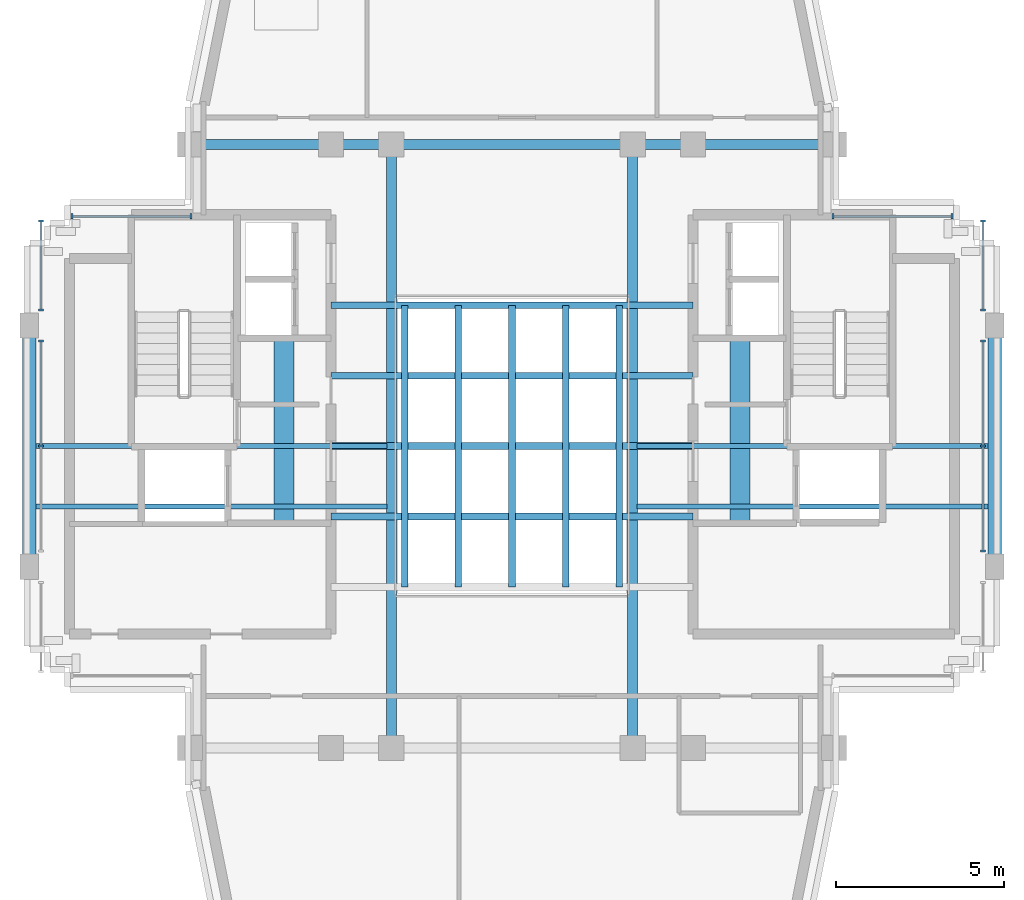
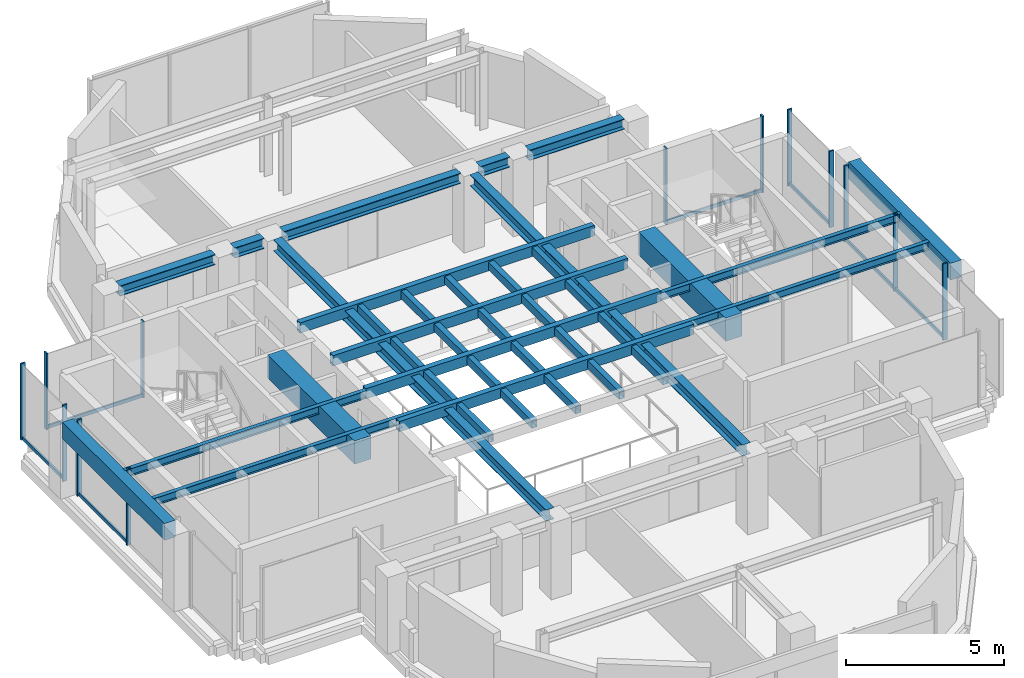
# One storey, part 4 of 11: 29 members, 15 beams, 6 elements without a shape of their own.
"""IFC4 building model written with IfcOpenShell, lengths in metres."""

from ifc_helpers import new_model, si_unit, direction, frame, origin, origin_2d, place, context, subcontext, project, spatial, rectangle, hollow_rectangle, i_section, extrude, source, transform, mapped, material, material_profile, profile_set, type_object, element, aggregate, save


model = new_model("IFC4")

# Units and contexts
model_context = context("Model", 3, precision=1e-05, world=origin(), true_north=direction((0.0, 1.0)))
body_context = subcontext(model_context, "Body", "Model", "MODEL_VIEW")
ifc_project = project(units=[si_unit("LENGTHUNIT", "METRE"), si_unit("AREAUNIT", "SQUARE_METRE"), si_unit("VOLUMEUNIT", "CUBIC_METRE"), si_unit("PLANEANGLEUNIT", "RADIAN"), si_unit("MASSUNIT", "GRAM", prefix="KILO")], contexts=[model_context])

# Site, building, storey
site_placement = place(None, origin())
site = spatial("IfcSite", under=ifc_project, at=site_placement, CompositionType="ELEMENT")
building_placement = place(site_placement, origin())
building = spatial("IfcBuilding", under=site, at=building_placement, Name="Keilestroom Media Tower", CompositionType="ELEMENT")
storey_placement = place(building_placement, frame((0.0, 0.0, 268.39990234375)))
storey = spatial("IfcBuildingStorey", under=building, at=storey_placement, Name="L75", CompositionType="ELEMENT", Elevation=268.39990234375)

# Beams
ifc_material_1 = material(Name="Concrete C70/85", Category="concrete")
ifc_material_profile_1 = material_profile(ifc_material_1, rectangle(XDim=0.60009765625, YDim=0.89990234375, at=origin_2d()), Name="RC 600x900")
ifc_profile_set_1 = profile_set([ifc_material_profile_1], Name="Concrete C70/85")
beam_type_1 = type_object("IfcBeamType", Name="Core-Coupling-Lintel-Beam-RC-600x900", PredefinedType="LINTEL", material=ifc_profile_set_1)
shared_shape_1 = source(origin(), body_context, "Body", "SweptSolid", [
    extrude(rectangle(XDim=0.60009765625, YDim=0.89990234375, at=origin_2d()), origin(), (0.0, 0.0, 1.0), 5.52001953125),
])
for number, where, z_axis, x_axis, name in (
    (1, (-6.800048828125, -2.300048828125, 2.510009765625), (0.0, 1.0, 0.0), (-1.0, 0.0, 0.0), "L75 Beam CLB-1 CLB-L75-W"),
    (2, (6.800048828125, -2.300048828125, 2.510009765625), (0.0, 1.0, 0.0), (-1.0, 0.0, 0.0), "L75 Beam CLB-1 CLB-L75-E"),
):
    element("IfcBeam", number, at=place(storey_placement, frame(where, z_axis=z_axis, x_axis=x_axis)), inside=storey, type_object=beam_type_1, Name=name, PredefinedType="LINTEL", context=body_context, shape_type="MappedRepresentation", body=[
        mapped(shared_shape_1, transform((0.0, 0.0, 0.0), x_axis=(1.0, 0.0, 0.0), y_axis=(0.0, 1.0, 0.0), z_axis=(0.0, 0.0, 1.0), scale=1.0)),
    ])
ifc_material_2 = material(Name="Steel S355", Category="steel")
ifc_material_profile_2 = material_profile(ifc_material_2, i_section(OverallWidth=0.300048828125, OverallDepth=0.39990234375, WebThickness=0.011474609375, FlangeThickness=0.02392578125, at=origin_2d()), Name="HEB 400")
ifc_profile_set_2 = profile_set([ifc_material_profile_2], Name="Steel S355")
beam_type_2 = type_object("IfcBeamType", Name="Primary-Structural-Girder-HEB-400", PredefinedType="BEAM", material=ifc_profile_set_2)
shared_shape_2 = source(origin(), body_context, "Body", "SweptSolid", [
    extrude(i_section(OverallWidth=0.300048828125, OverallDepth=0.39990234375, WebThickness=0.011474609375, FlangeThickness=0.02392578125, at=origin_2d()), origin(), (0.0, 0.0, 1.0), 3.490234375),
])
for number, where, z_axis, x_axis, name in (
    (3, (-9.2451171875, 9.0, 2.760009765625), (1.0, 0.0, 0.0), (0.0, 1.0, 0.0), "L75 Beam BG-8 BM-L75-EW-008"),
    (4, (5.7548828125, 9.0, 2.760009765625), (1.0, 0.0, 0.0), (0.0, 1.0, 0.0), "L75 Beam BG-8 BM-L75-EW-012"),
):
    element("IfcBeam", number, at=place(storey_placement, frame(where, z_axis=z_axis, x_axis=x_axis)), inside=storey, type_object=beam_type_2, Name=name, PredefinedType="BEAM", context=body_context, shape_type="MappedRepresentation", body=[
        mapped(shared_shape_2, transform((0.0, 0.0, 0.0), x_axis=(1.0, 0.0, 0.0), y_axis=(0.0, 1.0, 0.0), z_axis=(0.0, 0.0, 1.0), scale=1.0)),
    ])
shared_shape_3 = source(origin(), body_context, "Body", "SweptSolid", [
    extrude(i_section(OverallWidth=0.300048828125, OverallDepth=0.39990234375, WebThickness=0.011474609375, FlangeThickness=0.02392578125, at=origin_2d()), origin(), (0.0, 0.0, 1.0), 1.08984375),
])
for number, where, z_axis, x_axis, name in (
    (5, (-5.044921875, 9.0, 2.760009765625), (1.0, 0.0, 0.0), (0.0, 1.0, 0.0), "L75 Beam BG-8 BM-L75-EW-009"),
    (6, (3.955078125, 9.0, 2.760009765625), (1.0, 0.0, 0.0), (0.0, 1.0, 0.0), "L75 Beam BG-8 BM-L75-EW-011"),
):
    element("IfcBeam", number, at=place(storey_placement, frame(where, z_axis=z_axis, x_axis=x_axis)), inside=storey, type_object=beam_type_2, Name=name, PredefinedType="BEAM", context=body_context, shape_type="MappedRepresentation", body=[
        mapped(shared_shape_3, transform((0.0, 0.0, 0.0), x_axis=(1.0, 0.0, 0.0), y_axis=(0.0, 1.0, 0.0), z_axis=(0.0, 0.0, 1.0), scale=1.0)),
    ])
shared_shape_4 = source(origin(), body_context, "Body", "SweptSolid", [
    extrude(i_section(OverallWidth=0.300048828125, OverallDepth=0.39990234375, WebThickness=0.011474609375, FlangeThickness=0.02392578125, at=origin_2d()), origin(), (0.0, 0.0, 1.0), 6.490234375),
])
beam_placement = place(storey_placement, frame((-3.2451171875, 9.0, 2.760009765625), z_axis=(1.0, 0.0, 0.0), x_axis=(0.0, 1.0, 0.0)))
element("IfcBeam", 7, at=beam_placement, inside=storey, type_object=beam_type_2, Name="L75 Beam BG-8 BM-L75-EW-010", PredefinedType="BEAM", context=body_context, shape_type="MappedRepresentation", body=[
    mapped(shared_shape_4, transform((0.0, 0.0, 0.0), x_axis=(1.0, 0.0, 0.0), y_axis=(0.0, 1.0, 0.0), z_axis=(0.0, 0.0, 1.0), scale=1.0)),
])
ifc_material_3 = material(Name="Precast concrete C40/50", Category="concrete")
ifc_material_profile_3 = material_profile(ifc_material_3, rectangle(XDim=0.39990234375, YDim=0.64990234375, at=origin_2d()), Name="PC 400x650")
ifc_profile_set_3 = profile_set([ifc_material_profile_3], Name="Precast concrete C40/50")
beam_type_3 = type_object("IfcBeamType", Name="Perimeter-Spandrel-Beam-PC-400x650", PredefinedType="SPANDREL", material=ifc_profile_set_3)
shared_shape_5 = source(origin(), body_context, "Body", "SweptSolid", [
    extrude(rectangle(XDim=0.39990234375, YDim=0.64990234375, at=origin_2d()), origin(), (0.0, 0.0, 1.0), 6.490234375),
])
for number, where, z_axis, x_axis, name in (
    (8, (-14.39990234375, -3.2451171875, 2.635009765625), (0.0, 1.0, 0.0), (-1.0, 0.0, 0.0), "L75 Beam SPB-2 BM-L75-NS-017"),
    (9, (14.39990234375, -3.2451171875, 2.635009765625), (0.0, 1.0, 0.0), (-1.0, 0.0, 0.0), "L75 Beam SPB-2 BM-L75-NS-028"),
):
    element("IfcBeam", number, at=place(storey_placement, frame(where, z_axis=z_axis, x_axis=x_axis)), inside=storey, type_object=beam_type_3, Name=name, PredefinedType="SPANDREL", context=body_context, shape_type="MappedRepresentation", body=[
        mapped(shared_shape_5, transform((0.0, 0.0, 0.0), x_axis=(1.0, 0.0, 0.0), y_axis=(0.0, 1.0, 0.0), z_axis=(0.0, 0.0, 1.0), scale=1.0)),
    ])
ifc_material_profile_4 = material_profile(ifc_material_2, i_section(OverallWidth=0.300048828125, OverallDepth=0.43994140625, WebThickness=0.011474609375, FlangeThickness=0.02099609375, at=origin_2d()), Name="HEA 450")
ifc_profile_set_4 = profile_set([ifc_material_profile_4], Name="Steel S355")
beam_type_4 = type_object("IfcBeamType", Name="Primary-Structural-Girder-HEA-450", PredefinedType="BEAM", material=ifc_profile_set_4)
shared_shape_6 = source(origin(), body_context, "Body", "SweptSolid", [
    extrude(i_section(OverallWidth=0.300048828125, OverallDepth=0.43994140625, WebThickness=0.011474609375, FlangeThickness=0.02099609375, at=origin_2d()), origin(), (0.0, 0.0, 1.0), 17.2900390625),
])
for number, where, z_axis, x_axis, name in (
    (10, (-3.60009765625, -8.64501953125, 2.739990234375), (0.0, 1.0, 0.0), (-1.0, 0.0, 0.0), "L75 Beam BG-11 BM-L75-NS-021"),
    (11, (3.60009765625, -8.64501953125, 2.739990234375), (0.0, 1.0, 0.0), (-1.0, 0.0, 0.0), "L75 Beam BG-11 BM-L75-NS-024"),
):
    element("IfcBeam", number, at=place(storey_placement, frame(where, z_axis=z_axis, x_axis=x_axis)), inside=storey, type_object=beam_type_4, Name=name, PredefinedType="BEAM", context=body_context, shape_type="MappedRepresentation", body=[
        mapped(shared_shape_6, transform((0.0, 0.0, 0.0), x_axis=(1.0, 0.0, 0.0), y_axis=(0.0, 1.0, 0.0), z_axis=(0.0, 0.0, 1.0), scale=1.0)),
    ])
ifc_material_profile_5 = material_profile(ifc_material_2, i_section(OverallWidth=0.14990234375, OverallDepth=0.300048828125, WebThickness=0.007080078125, FlangeThickness=0.0107421875, at=origin_2d()), Name="IPE 300")
ifc_profile_set_5 = profile_set([ifc_material_profile_5], Name="Steel S355")
beam_type_5 = type_object("IfcBeamType", Name="Secondary-Floor-Joist-IPE-300", PredefinedType="JOIST", material=ifc_profile_set_5)
shared_shape_7 = source(origin(), body_context, "Body", "SweptSolid", [
    extrude(i_section(OverallWidth=0.14990234375, OverallDepth=0.300048828125, WebThickness=0.007080078125, FlangeThickness=0.0107421875, at=origin_2d()), origin(), (0.0, 0.0, 1.0), 10.489990234375),
])
for number, where, z_axis, x_axis, name in (
    (12, (-14.219970703125, -1.800048828125, 2.81005859375), (1.0, 0.0, 0.0), (0.0, 1.0, 0.0), "L75 Beam BJ-7 JST-L75-029"),
    (13, (3.72998046875, -1.800048828125, 2.81005859375), (1.0, 0.0, 0.0), (0.0, 1.0, 0.0), "L75 Beam BJ-7 JST-L75-031"),
    (14, (-14.219970703125, 0.0, 2.81005859375), (1.0, 0.0, 0.0), (0.0, 1.0, 0.0), "L75 Beam BJ-7 JST-L75-032"),
    (15, (3.72998046875, 0.0, 2.81005859375), (1.0, 0.0, 0.0), (0.0, 1.0, 0.0), "L75 Beam BJ-7 JST-L75-034"),
):
    element("IfcBeam", number, at=place(storey_placement, frame(where, z_axis=z_axis, x_axis=x_axis)), inside=storey, type_object=beam_type_5, Name=name, PredefinedType="JOIST", context=body_context, shape_type="MappedRepresentation", body=[
        mapped(shared_shape_7, transform((0.0, 0.0, 0.0), x_axis=(1.0, 0.0, 0.0), y_axis=(0.0, 1.0, 0.0), z_axis=(0.0, 0.0, 1.0), scale=1.0)),
    ])

# Members
ifc_material_profile_6 = material_profile(ifc_material_2, hollow_rectangle(XDim=0.199951171875, YDim=0.39990234375, WallThickness=0.01611328125, at=origin_2d()), Name="RHS 400x200x16")
ifc_profile_set_6 = profile_set([ifc_material_profile_6], Name="Steel S355")
member_type_1 = type_object("IfcMemberType", Name="Atrium-Skylight-Rafter-RHS-400x200x16", PredefinedType="RAFTER", material=ifc_profile_set_6)
shared_shape_8 = source(origin(), body_context, "Body", "SweptSolid", [
    extrude(hollow_rectangle(XDim=0.199951171875, YDim=0.39990234375, WallThickness=0.01611328125, at=origin_2d()), origin(), (0.0, 0.0, 1.0), 10.7998046875),
])
for number, where, z_axis, x_axis, name in (
    (16, (-5.39990234375, -2.10009765625, 2.860107421875), (1.0, 0.0, 0.0), (0.0, 1.0, 0.0), "Roof Atrium Skylight Rafter SKR-1 02"),
    (17, (-5.39990234375, 0.0, 2.860107421875), (1.0, 0.0, 0.0), (0.0, 1.0, 0.0), "Roof Atrium Skylight Rafter SKR-1 03"),
    (18, (-5.39990234375, 2.10009765625, 2.860107421875), (1.0, 0.0, 0.0), (0.0, 1.0, 0.0), "Roof Atrium Skylight Rafter SKR-1 04"),
    (19, (-5.39990234375, 4.199951171875, 2.860107421875), (1.0, 0.0, 0.0), (0.0, 1.0, 0.0), "Roof Atrium Skylight Rafter SKR-1 05"),
):
    element("IfcMember", number, at=place(storey_placement, frame(where, z_axis=z_axis, x_axis=x_axis)), inside=storey, type_object=member_type_1, Name=name, PredefinedType="RAFTER", context=body_context, shape_type="MappedRepresentation", body=[
        mapped(shared_shape_8, transform((0.0, 0.0, 0.0), x_axis=(1.0, 0.0, 0.0), y_axis=(0.0, 1.0, 0.0), z_axis=(0.0, 0.0, 1.0), scale=1.0)),
    ])
ifc_material_profile_7 = material_profile(ifc_material_2, hollow_rectangle(XDim=0.199951171875, YDim=0.300048828125, WallThickness=0.012451171875, at=origin_2d()), Name="RHS 300x200x12.5")
ifc_profile_set_7 = profile_set([ifc_material_profile_7], Name="Steel S355")
member_type_2 = type_object("IfcMemberType", Name="Atrium-Skylight-Rafter-RHS-300x200x12", PredefinedType="RAFTER", material=ifc_profile_set_7)
shared_shape_9 = source(origin(), body_context, "Body", "SweptSolid", [
    extrude(hollow_rectangle(XDim=0.199951171875, YDim=0.300048828125, WallThickness=0.012451171875, at=origin_2d()), origin(), (0.0, 0.0, 1.0), 8.39990234375),
])
for number, where, z_axis, x_axis, name in (
    (20, (-3.199951171875, -4.199951171875, 2.860107421875), (0.0, 1.0, 0.0), (-1.0, 0.0, 0.0), "Roof Atrium Skylight Cross Rafter SKR-2 01"),
    (21, (-1.60009765625, -4.199951171875, 2.860107421875), (0.0, 1.0, 0.0), (-1.0, 0.0, 0.0), "Roof Atrium Skylight Cross Rafter SKR-2 02"),
    (22, (0.0, -4.199951171875, 2.860107421875), (0.0, 1.0, 0.0), (-1.0, 0.0, 0.0), "Roof Atrium Skylight Cross Rafter SKR-2 03"),
    (23, (1.60009765625, -4.199951171875, 2.860107421875), (0.0, 1.0, 0.0), (-1.0, 0.0, 0.0), "Roof Atrium Skylight Cross Rafter SKR-2 04"),
    (24, (3.199951171875, -4.199951171875, 2.860107421875), (0.0, 1.0, 0.0), (-1.0, 0.0, 0.0), "Roof Atrium Skylight Cross Rafter SKR-2 05"),
):
    element("IfcMember", number, at=place(storey_placement, frame(where, z_axis=z_axis, x_axis=x_axis)), inside=storey, type_object=member_type_2, Name=name, PredefinedType="RAFTER", context=body_context, shape_type="MappedRepresentation", body=[
        mapped(shared_shape_9, transform((0.0, 0.0, 0.0), x_axis=(1.0, 0.0, 0.0), y_axis=(0.0, 1.0, 0.0), z_axis=(0.0, 0.0, 1.0), scale=1.0)),
    ])

# Curtain wall, member
ifc_material_4 = material(Name="Anodised Aluminium Alloy", Category="aluminium")
curtain_wall_type = type_object("IfcCurtainWallType", Name="Unitised-Curtain-Wall-CW-4", PredefinedType="NOTDEFINED", material=ifc_material_4)
curtain_wall_1_placement = place(storey_placement, origin())
curtain_wall_1 = element("IfcCurtainWall", 25, at=curtain_wall_1_placement, inside=storey, type_object=curtain_wall_type, Name="L75 Curtain Wall CW-4 CW-L75-W-2", PredefinedType="NOTDEFINED")
ifc_material_profile_8 = material_profile(ifc_material_4, rectangle(XDim=0.06005859375, YDim=0.1298828125, at=origin_2d()), Name="ALU TRANSOM 60x130")
ifc_profile_set_8 = profile_set([ifc_material_profile_8], Name="Anodised Aluminium Alloy")
member_type_3 = type_object("IfcMemberType", Name="Curtain-Wall-Transom-CW-4", PredefinedType="USERDEFINED", material=ifc_profile_set_8)
shared_shape_10 = source(origin(), body_context, "Body", "SweptSolid", [
    extrude(rectangle(XDim=0.06005859375, YDim=0.1298828125, at=origin_2d()), origin(), (0.0, 0.0, 1.0), 3.078857421875),
])
member_1_placement = place(storey_placement, frame((-14.050048828125, 0.028076171875, 0.065185546875), z_axis=(0.0, 1.0, 0.0), x_axis=(-1.0, 0.0, 0.0)))
member_1 = element("IfcMember", 26, at=member_1_placement, type_object=member_type_3, Name="CW-4 Transom 01.1", ObjectType="TRANSOM", PredefinedType="USERDEFINED", context=body_context, shape_type="MappedRepresentation", body=[
    mapped(shared_shape_10, transform((0.0, 0.0, 0.0), x_axis=(1.0, 0.0, 0.0), y_axis=(0.0, 1.0, 0.0), z_axis=(0.0, 0.0, 1.0), scale=1.0)),
])

# Curtain wall, members
curtain_wall_2_placement = place(storey_placement, origin())
curtain_wall_2 = element("IfcCurtainWall", 27, at=curtain_wall_2_placement, inside=storey, type_object=curtain_wall_type, Name="L75 Curtain Wall CW-4 CW-L75-E-2", PredefinedType="NOTDEFINED")
member_2_placement = place(storey_placement, frame((14.050048828125, -3.10693359375, 0.065185546875), z_axis=(0.0, 1.0, 0.0), x_axis=(-1.0, 0.0, 0.0)))
member_2 = element("IfcMember", 28, at=member_2_placement, type_object=member_type_3, Name="CW-4 Transom 00.1", ObjectType="TRANSOM", PredefinedType="USERDEFINED", context=body_context, shape_type="MappedRepresentation", body=[
    mapped(shared_shape_10, transform((0.0, 0.0, 0.0), x_axis=(1.0, 0.0, 0.0), y_axis=(0.0, 1.0, 0.0), z_axis=(0.0, 0.0, 1.0), scale=1.0)),
])
member_3_placement = place(storey_placement, frame((14.050048828125, 0.028076171875, 0.065185546875), z_axis=(0.0, 1.0, 0.0), x_axis=(-1.0, 0.0, 0.0)))
member_3 = element("IfcMember", 29, at=member_3_placement, type_object=member_type_3, Name="CW-4 Transom 01.1", ObjectType="TRANSOM", PredefinedType="USERDEFINED", context=body_context, shape_type="MappedRepresentation", body=[
    mapped(shared_shape_10, transform((0.0, 0.0, 0.0), x_axis=(1.0, 0.0, 0.0), y_axis=(0.0, 1.0, 0.0), z_axis=(0.0, 0.0, 1.0), scale=1.0)),
])

# Curtain wall, member
curtain_wall_3_placement = place(storey_placement, origin())
curtain_wall_3 = element("IfcCurtainWall", 30, at=curtain_wall_3_placement, inside=storey, type_object=curtain_wall_type, Name="L75 Curtain Wall CW-4 CW-L75-W-3", PredefinedType="NOTDEFINED")
shared_shape_11 = source(origin(), body_context, "Body", "SweptSolid", [
    extrude(rectangle(XDim=0.06005859375, YDim=0.1298828125, at=origin_2d()), origin(), (0.0, 0.0, 1.0), 2.598876953125),
])
member_4_placement = place(storey_placement, frame((-14.050048828125, 4.093017578125, 0.065185546875), z_axis=(0.0, 1.0, 0.0), x_axis=(-1.0, 0.0, 0.0)))
member_4 = element("IfcMember", 31, at=member_4_placement, type_object=member_type_3, Name="CW-4 Transom 00.1", ObjectType="TRANSOM", PredefinedType="USERDEFINED", context=body_context, shape_type="MappedRepresentation", body=[
    mapped(shared_shape_11, transform((0.0, 0.0, 0.0), x_axis=(1.0, 0.0, 0.0), y_axis=(0.0, 1.0, 0.0), z_axis=(0.0, 0.0, 1.0), scale=1.0)),
])

curtain_wall_4_placement = place(storey_placement, origin())
curtain_wall_4 = element("IfcCurtainWall", 32, at=curtain_wall_4_placement, inside=storey, type_object=curtain_wall_type, Name="L75 Curtain Wall CW-4 CW-L75-E-3", PredefinedType="NOTDEFINED")
member_5_placement = place(storey_placement, frame((14.050048828125, 4.093017578125, 0.065185546875), z_axis=(0.0, 1.0, 0.0), x_axis=(-1.0, 0.0, 0.0)))
member_5 = element("IfcMember", 33, at=member_5_placement, type_object=member_type_3, Name="CW-4 Transom 00.1", ObjectType="TRANSOM", PredefinedType="USERDEFINED", context=body_context, shape_type="MappedRepresentation", body=[
    mapped(shared_shape_11, transform((0.0, 0.0, 0.0), x_axis=(1.0, 0.0, 0.0), y_axis=(0.0, 1.0, 0.0), z_axis=(0.0, 0.0, 1.0), scale=1.0)),
])

curtain_wall_5_placement = place(storey_placement, origin())
curtain_wall_5 = element("IfcCurtainWall", 34, at=curtain_wall_5_placement, inside=storey, type_object=curtain_wall_type, Name="L75 Curtain Wall CW-4 CW-L75-NW-1", PredefinedType="NOTDEFINED")
shared_shape_12 = source(origin(), body_context, "Body", "SweptSolid", [
    extrude(rectangle(XDim=0.06005859375, YDim=0.1298828125, at=origin_2d()), origin(), (0.0, 0.0, 1.0), 3.484130859375),
])
member_6_placement = place(storey_placement, frame((-13.092041015625, 6.85009765625, 0.065185546875), z_axis=(1.0, 0.0, 0.0), x_axis=(0.0, 1.0, 0.0)))
member_6 = element("IfcMember", 35, at=member_6_placement, type_object=member_type_3, Name="CW-4 Transom 00.1", ObjectType="TRANSOM", PredefinedType="USERDEFINED", context=body_context, shape_type="MappedRepresentation", body=[
    mapped(shared_shape_12, transform((0.0, 0.0, 0.0), x_axis=(1.0, 0.0, 0.0), y_axis=(0.0, 1.0, 0.0), z_axis=(0.0, 0.0, 1.0), scale=1.0)),
])

curtain_wall_6_placement = place(storey_placement, origin())
curtain_wall_6 = element("IfcCurtainWall", 36, at=curtain_wall_6_placement, inside=storey, type_object=curtain_wall_type, Name="L75 Curtain Wall CW-4 CW-L75-NE-1", PredefinedType="NOTDEFINED")
member_7_placement = place(storey_placement, frame((9.60791015625, 6.85009765625, 0.065185546875), z_axis=(1.0, 0.0, 0.0), x_axis=(0.0, 1.0, 0.0)))
member_7 = element("IfcMember", 37, at=member_7_placement, type_object=member_type_3, Name="CW-4 Transom 00.1", ObjectType="TRANSOM", PredefinedType="USERDEFINED", context=body_context, shape_type="MappedRepresentation", body=[
    mapped(shared_shape_12, transform((0.0, 0.0, 0.0), x_axis=(1.0, 0.0, 0.0), y_axis=(0.0, 1.0, 0.0), z_axis=(0.0, 0.0, 1.0), scale=1.0)),
])

# Member
ifc_material_profile_9 = material_profile(ifc_material_4, rectangle(XDim=0.06005859375, YDim=0.159912109375, at=origin_2d()), Name="ALU MULLION 60x160")
ifc_profile_set_9 = profile_set([ifc_material_profile_9], Name="Anodised Aluminium Alloy")
member_type_4 = type_object("IfcMemberType", Name="Curtain-Wall-Mullion-CW-4", PredefinedType="MULLION", material=ifc_profile_set_9)
shared_shape_13 = source(origin(), body_context, "Body", "SweptSolid", [
    extrude(rectangle(XDim=0.06005859375, YDim=0.159912109375, at=origin_2d()), origin(), (0.0, 0.0, 1.0), 2.960205078125),
])
member_8_placement = place(storey_placement, frame((-14.050048828125, 0.0, 0.0), z_axis=(0.0, 0.0, 1.0), x_axis=(0.0, 1.0, 0.0)))
member_8 = element("IfcMember", 38, at=member_8_placement, type_object=member_type_4, Name="CW-4 Mullion 01", PredefinedType="MULLION", context=body_context, shape_type="MappedRepresentation", body=[
    mapped(shared_shape_13, transform((0.0, 0.0, 0.0), x_axis=(1.0, 0.0, 0.0), y_axis=(0.0, 1.0, 0.0), z_axis=(0.0, 0.0, 1.0), scale=1.0)),
])

member_9_placement = place(storey_placement, frame((-14.050048828125, 3.135009765625, 0.0), z_axis=(0.0, 0.0, 1.0), x_axis=(0.0, 1.0, 0.0)))
member_9 = element("IfcMember", 39, at=member_9_placement, type_object=member_type_4, Name="CW-4 Mullion 02", PredefinedType="MULLION", context=body_context, shape_type="MappedRepresentation", body=[
    mapped(shared_shape_13, transform((0.0, 0.0, 0.0), x_axis=(1.0, 0.0, 0.0), y_axis=(0.0, 1.0, 0.0), z_axis=(0.0, 0.0, 1.0), scale=1.0)),
])

aggregate(curtain_wall_1, [member_8, member_9, member_1])

member_10_placement = place(storey_placement, frame((-14.050048828125, 4.06494140625, 0.0), z_axis=(0.0, 0.0, 1.0), x_axis=(0.0, 1.0, 0.0)))
member_10 = element("IfcMember", 40, at=member_10_placement, type_object=member_type_4, Name="CW-4 Mullion 00", PredefinedType="MULLION", context=body_context, shape_type="MappedRepresentation", body=[
    mapped(shared_shape_13, transform((0.0, 0.0, 0.0), x_axis=(1.0, 0.0, 0.0), y_axis=(0.0, 1.0, 0.0), z_axis=(0.0, 0.0, 1.0), scale=1.0)),
])

member_11_placement = place(storey_placement, frame((-14.050048828125, 6.719970703125, 0.0), z_axis=(0.0, 0.0, 1.0), x_axis=(0.0, 1.0, 0.0)))
member_11 = element("IfcMember", 41, at=member_11_placement, type_object=member_type_4, Name="CW-4 Mullion 01", PredefinedType="MULLION", context=body_context, shape_type="MappedRepresentation", body=[
    mapped(shared_shape_13, transform((0.0, 0.0, 0.0), x_axis=(1.0, 0.0, 0.0), y_axis=(0.0, 1.0, 0.0), z_axis=(0.0, 0.0, 1.0), scale=1.0)),
])

aggregate(curtain_wall_3, [member_10, member_11, member_4])

member_12_placement = place(storey_placement, frame((14.050048828125, -3.135009765625, 0.0), z_axis=(0.0, 0.0, 1.0), x_axis=(0.0, 1.0, 0.0)))
member_12 = element("IfcMember", 42, at=member_12_placement, type_object=member_type_4, Name="CW-4 Mullion 00", PredefinedType="MULLION", context=body_context, shape_type="MappedRepresentation", body=[
    mapped(shared_shape_13, transform((0.0, 0.0, 0.0), x_axis=(1.0, 0.0, 0.0), y_axis=(0.0, 1.0, 0.0), z_axis=(0.0, 0.0, 1.0), scale=1.0)),
])

member_13_placement = place(storey_placement, frame((14.050048828125, 0.0, 0.0), z_axis=(0.0, 0.0, 1.0), x_axis=(0.0, 1.0, 0.0)))
member_13 = element("IfcMember", 43, at=member_13_placement, type_object=member_type_4, Name="CW-4 Mullion 01", PredefinedType="MULLION", context=body_context, shape_type="MappedRepresentation", body=[
    mapped(shared_shape_13, transform((0.0, 0.0, 0.0), x_axis=(1.0, 0.0, 0.0), y_axis=(0.0, 1.0, 0.0), z_axis=(0.0, 0.0, 1.0), scale=1.0)),
])

member_14_placement = place(storey_placement, frame((14.050048828125, 3.135009765625, 0.0), z_axis=(0.0, 0.0, 1.0), x_axis=(0.0, 1.0, 0.0)))
member_14 = element("IfcMember", 44, at=member_14_placement, type_object=member_type_4, Name="CW-4 Mullion 02", PredefinedType="MULLION", context=body_context, shape_type="MappedRepresentation", body=[
    mapped(shared_shape_13, transform((0.0, 0.0, 0.0), x_axis=(1.0, 0.0, 0.0), y_axis=(0.0, 1.0, 0.0), z_axis=(0.0, 0.0, 1.0), scale=1.0)),
])

aggregate(curtain_wall_2, [member_12, member_13, member_14, member_2, member_3])

member_15_placement = place(storey_placement, frame((14.050048828125, 4.06494140625, 0.0), z_axis=(0.0, 0.0, 1.0), x_axis=(0.0, 1.0, 0.0)))
member_15 = element("IfcMember", 45, at=member_15_placement, type_object=member_type_4, Name="CW-4 Mullion 00", PredefinedType="MULLION", context=body_context, shape_type="MappedRepresentation", body=[
    mapped(shared_shape_13, transform((0.0, 0.0, 0.0), x_axis=(1.0, 0.0, 0.0), y_axis=(0.0, 1.0, 0.0), z_axis=(0.0, 0.0, 1.0), scale=1.0)),
])

member_16_placement = place(storey_placement, frame((14.050048828125, 6.719970703125, 0.0), z_axis=(0.0, 0.0, 1.0), x_axis=(0.0, 1.0, 0.0)))
member_16 = element("IfcMember", 46, at=member_16_placement, type_object=member_type_4, Name="CW-4 Mullion 01", PredefinedType="MULLION", context=body_context, shape_type="MappedRepresentation", body=[
    mapped(shared_shape_13, transform((0.0, 0.0, 0.0), x_axis=(1.0, 0.0, 0.0), y_axis=(0.0, 1.0, 0.0), z_axis=(0.0, 0.0, 1.0), scale=1.0)),
])

aggregate(curtain_wall_4, [member_15, member_16, member_5])

member_17_placement = place(storey_placement, frame((-13.1201171875, 6.85009765625, 0.0), z_axis=(0.0, 0.0, 1.0), x_axis=(1.0, 0.0, 0.0)))
member_17 = element("IfcMember", 47, at=member_17_placement, type_object=member_type_4, Name="CW-4 Mullion 00", PredefinedType="MULLION", context=body_context, shape_type="MappedRepresentation", body=[
    mapped(shared_shape_13, transform((0.0, 0.0, 0.0), x_axis=(1.0, 0.0, 0.0), y_axis=(0.0, 1.0, 0.0), z_axis=(0.0, 0.0, 1.0), scale=1.0)),
])

member_18_placement = place(storey_placement, frame((-9.580078125, 6.85009765625, 0.0), z_axis=(0.0, 0.0, 1.0), x_axis=(1.0, 0.0, 0.0)))
member_18 = element("IfcMember", 48, at=member_18_placement, type_object=member_type_4, Name="CW-4 Mullion 01", PredefinedType="MULLION", context=body_context, shape_type="MappedRepresentation", body=[
    mapped(shared_shape_13, transform((0.0, 0.0, 0.0), x_axis=(1.0, 0.0, 0.0), y_axis=(0.0, 1.0, 0.0), z_axis=(0.0, 0.0, 1.0), scale=1.0)),
])

aggregate(curtain_wall_5, [member_17, member_18, member_6])

member_19_placement = place(storey_placement, frame((9.580078125, 6.85009765625, 0.0), z_axis=(0.0, 0.0, 1.0), x_axis=(1.0, 0.0, 0.0)))
member_19 = element("IfcMember", 49, at=member_19_placement, type_object=member_type_4, Name="CW-4 Mullion 00", PredefinedType="MULLION", context=body_context, shape_type="MappedRepresentation", body=[
    mapped(shared_shape_13, transform((0.0, 0.0, 0.0), x_axis=(1.0, 0.0, 0.0), y_axis=(0.0, 1.0, 0.0), z_axis=(0.0, 0.0, 1.0), scale=1.0)),
])

member_20_placement = place(storey_placement, frame((13.1201171875, 6.85009765625, 0.0), z_axis=(0.0, 0.0, 1.0), x_axis=(1.0, 0.0, 0.0)))
member_20 = element("IfcMember", 50, at=member_20_placement, type_object=member_type_4, Name="CW-4 Mullion 01", PredefinedType="MULLION", context=body_context, shape_type="MappedRepresentation", body=[
    mapped(shared_shape_13, transform((0.0, 0.0, 0.0), x_axis=(1.0, 0.0, 0.0), y_axis=(0.0, 1.0, 0.0), z_axis=(0.0, 0.0, 1.0), scale=1.0)),
])

aggregate(curtain_wall_6, [member_19, member_20, member_7])

save(model, "model.ifc")
